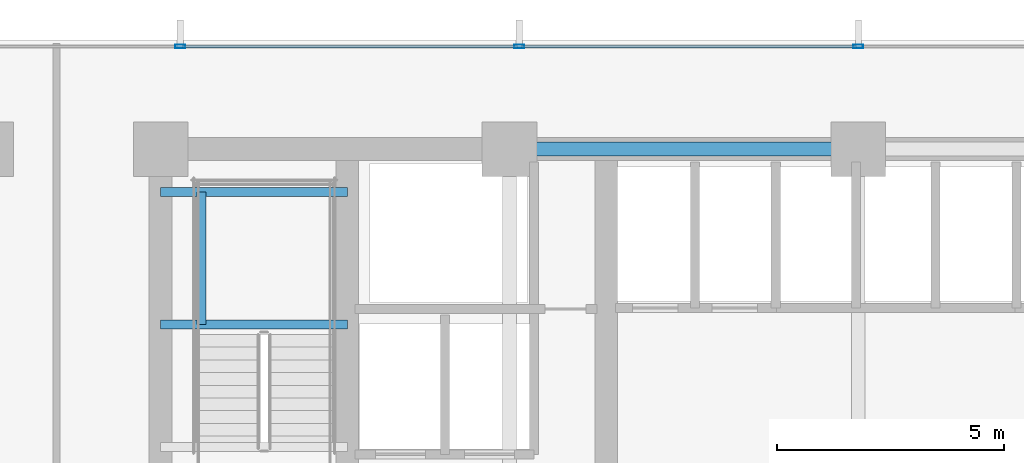
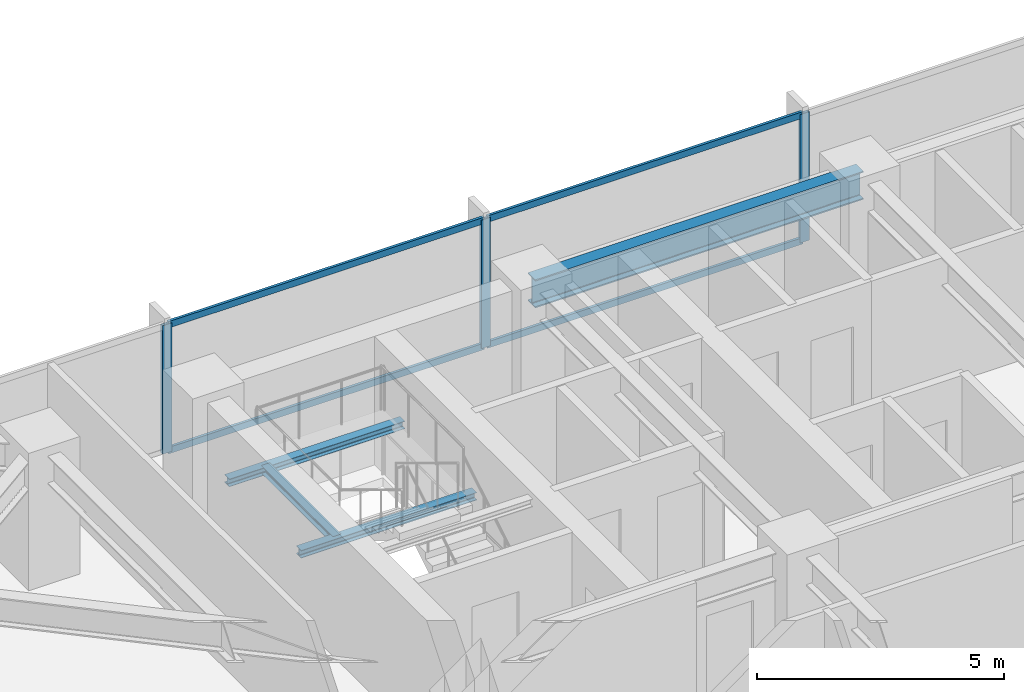
# One storey, part 18 of 32: 7 members, 4 beams, 1 element without a shape of its own.
"""IFC4 building model written with IfcOpenShell, lengths in metres."""

from ifc_helpers import new_model, si_unit, direction, frame, origin, origin_2d, place, context, subcontext, project, spatial, hollow_rectangle, i_section, extrude, material, material_profile, profile_set, type_object, element, aggregate, save


model = new_model("IFC4")

# Units and contexts
model_context = context("Model", 3, precision=1e-05, world=origin(), true_north=direction((0.0, 1.0)))
body_context = subcontext(model_context, "Body", "Model", "MODEL_VIEW")
ifc_project = project(units=[si_unit("LENGTHUNIT", "METRE"), si_unit("AREAUNIT", "SQUARE_METRE"), si_unit("VOLUMEUNIT", "CUBIC_METRE"), si_unit("PLANEANGLEUNIT", "RADIAN"), si_unit("MASSUNIT", "GRAM", prefix="KILO")], contexts=[model_context])

# Site, building, storey
site_placement = place(None, origin())
site = spatial("IfcSite", under=ifc_project, at=site_placement, CompositionType="ELEMENT")
building_placement = place(site_placement, origin())
building = spatial("IfcBuilding", under=site, at=building_placement, Name="Yelkora Congress Tower", CompositionType="ELEMENT")
storey_placement = place(building_placement, frame((0.0, 0.0, 44.0)))
storey = spatial("IfcBuildingStorey", under=building, at=storey_placement, Name="L10", CompositionType="ELEMENT", Elevation=44.0)

# Beams
ifc_material_1 = material(Name="Steel S355J2", Category="steel")
ifc_material_profile_1 = material_profile(ifc_material_1, i_section(OverallWidth=0.300048828125, OverallDepth=0.699951171875, WebThickness=0.01708984375, FlangeThickness=0.031982421875, FilletRadius=0.027099609375, at=origin_2d()), Name="HEB 700")
ifc_profile_set_1 = profile_set([ifc_material_profile_1], Name="Steel S355J2")
beam_type_1 = type_object("IfcBeamType", Name="BM-GIRD-HEB700", PredefinedType="BEAM", material=ifc_profile_set_1)
beam_1_placement = place(storey_placement, frame((30.719970703125, 46.199951171875, 2.830078125), z_axis=(1.0, 0.0, 0.0), x_axis=(0.0, 1.0, 0.0)))
element("IfcBeam", 1, at=beam_1_placement, inside=storey, type_object=beam_type_1, Name="L10 Core North Girder 3", PredefinedType="BEAM", context=body_context, shape_type="SweptSolid", body=[
    extrude(i_section(OverallWidth=0.300048828125, OverallDepth=0.699951171875, WebThickness=0.01708984375, FlangeThickness=0.031982421875, FilletRadius=0.027099609375, at=origin_2d()), origin(), (0.0, 0.0, 1.0), 7.679931640625),
])
ifc_material_profile_2 = material_profile(ifc_material_1, i_section(OverallWidth=0.199951171875, OverallDepth=0.18994140625, WebThickness=0.006591796875, FlangeThickness=0.010009765625, FilletRadius=0.01806640625, at=origin_2d()), Name="HEA 200")
ifc_profile_set_2 = profile_set([ifc_material_profile_2], Name="Steel S355J2")
beam_type_2 = type_object("IfcBeamType", Name="BM-LAND-HEA200", PredefinedType="BEAM", material=ifc_profile_set_2)
for number, where, z_axis, x_axis, name in (
    (2, (23.0400390625, 42.340087890625, 1.384521484375), (1.0, 0.0, 0.0), (0.0, 1.0, 0.0), "ST-01 L10 Landing Header Beam 1S"),
    (3, (23.0400390625, 45.25, 1.384521484375), (1.0, 0.0, 0.0), (0.0, 1.0, 0.0), "ST-01 L10 Landing Header Beam 1N"),
):
    element("IfcBeam", number, at=place(storey_placement, frame(where, z_axis=z_axis, x_axis=x_axis)), inside=storey, type_object=beam_type_2, Name=name, PredefinedType="BEAM", context=body_context, shape_type="SweptSolid", body=[
        extrude(i_section(OverallWidth=0.199951171875, OverallDepth=0.18994140625, WebThickness=0.006591796875, FlangeThickness=0.010009765625, FilletRadius=0.01806640625, at=origin_2d()), origin(), (0.0, 0.0, 1.0), 4.10986328125),
    ])
beam_2_placement = place(storey_placement, frame((23.93994140625, 42.340087890625, 1.384521484375), z_axis=(0.0, 1.0, 0.0), x_axis=(-1.0, 0.0, 0.0)))
element("IfcBeam", 4, at=beam_2_placement, inside=storey, type_object=beam_type_2, Name="ST-01 L10 Landing Trimmer Beam 1M", PredefinedType="BEAM", context=body_context, shape_type="SweptSolid", body=[
    extrude(i_section(OverallWidth=0.199951171875, OverallDepth=0.18994140625, WebThickness=0.006591796875, FlangeThickness=0.010009765625, FilletRadius=0.01806640625, at=origin_2d()), origin(), (0.0, 0.0, 1.0), 2.909912109375),
])

# Curtain wall, members
ifc_material_2 = material(Name="Anodised aluminium and insulated glass", Category="aluminium")
curtain_wall_type = type_object("IfcCurtainWallType", Name="CW-SYS-B1", PredefinedType="NOTDEFINED", material=ifc_material_2)
curtain_wall_placement = place(storey_placement, origin())
curtain_wall = element("IfcCurtainWall", 5, at=curtain_wall_placement, inside=storey, type_object=curtain_wall_type, Name="L10 Unitised Curtain Wall 10", PredefinedType="NOTDEFINED")
ifc_material_3 = material(Name="Anodised aluminium 6063-T6", Category="aluminium")
ifc_material_profile_3 = material_profile(ifc_material_3, hollow_rectangle(XDim=0.074951171875, YDim=0.219970703125, WallThickness=0.0048828125, at=origin_2d()), Name="ALU 75x220x5")
ifc_profile_set_3 = profile_set([ifc_material_profile_3], Name="Anodised aluminium 6063-T6")
member_type_1 = type_object("IfcMemberType", Name="MEM-ML-B1", PredefinedType="MULLION", material=ifc_profile_set_3)
member_1_placement = place(storey_placement, frame((23.469970703125, 48.4599609375, 0.0), z_axis=(0.0, 0.0, 1.0), x_axis=(0.0, 1.0, 0.0)))
member_1 = element("IfcMember", 6, at=member_1_placement, type_object=member_type_1, Name="CW-B1 mullion 3", PredefinedType="MULLION", context=body_context, shape_type="SweptSolid", body=[
    extrude(hollow_rectangle(XDim=0.074951171875, YDim=0.219970703125, WallThickness=0.0048828125, at=origin_2d()), origin(), (0.0, 0.0, 1.0), 3.179931640625),
])
member_2_placement = place(storey_placement, frame((30.93505859375, 48.4599609375, 0.0), z_axis=(0.0, 0.0, 1.0), x_axis=(0.0, 1.0, 0.0)))
member_2 = element("IfcMember", 7, at=member_2_placement, type_object=member_type_1, Name="CW-B1 mullion 4", PredefinedType="MULLION", context=body_context, shape_type="SweptSolid", body=[
    extrude(hollow_rectangle(XDim=0.074951171875, YDim=0.219970703125, WallThickness=0.0048828125, at=origin_2d()), origin(), (0.0, 0.0, 1.0), 3.179931640625),
])
member_3_placement = place(storey_placement, frame((38.39990234375, 48.4599609375, 0.0), z_axis=(0.0, 0.0, 1.0), x_axis=(0.0, 1.0, 0.0)))
member_3 = element("IfcMember", 8, at=member_3_placement, type_object=member_type_1, Name="CW-B1 mullion 5", PredefinedType="MULLION", context=body_context, shape_type="SweptSolid", body=[
    extrude(hollow_rectangle(XDim=0.074951171875, YDim=0.219970703125, WallThickness=0.0048828125, at=origin_2d()), origin(), (0.0, 0.0, 1.0), 3.179931640625),
])
ifc_material_profile_4 = material_profile(ifc_material_3, hollow_rectangle(XDim=0.06494140625, YDim=0.159912109375, WallThickness=0.00390625, at=origin_2d()), Name="ALU 65x160x4")
ifc_profile_set_4 = profile_set([ifc_material_profile_4], Name="Anodised aluminium 6063-T6")
member_type_2 = type_object("IfcMemberType", Name="MEM-TR-B1", PredefinedType="USERDEFINED", material=ifc_profile_set_4)
member_4_placement = place(storey_placement, frame((23.507568359375, 48.4599609375, 0.032470703125), z_axis=(1.0, 0.0, 0.0), x_axis=(0.0, 1.0, 0.0)))
member_4 = element("IfcMember", 9, at=member_4_placement, type_object=member_type_2, Name="CW-B1 transom 3.1", ObjectType="TRANSOM", PredefinedType="USERDEFINED", context=body_context, shape_type="SweptSolid", body=[
    extrude(hollow_rectangle(XDim=0.06494140625, YDim=0.159912109375, WallThickness=0.00390625, at=origin_2d()), origin(), (0.0, 0.0, 1.0), 7.389892578125),
])
member_5_placement = place(storey_placement, frame((23.507568359375, 48.4599609375, 3.1474609375), z_axis=(1.0, 0.0, 0.0), x_axis=(0.0, 1.0, 0.0)))
member_5 = element("IfcMember", 10, at=member_5_placement, type_object=member_type_2, Name="CW-B1 transom 3.2", ObjectType="TRANSOM", PredefinedType="USERDEFINED", context=body_context, shape_type="SweptSolid", body=[
    extrude(hollow_rectangle(XDim=0.06494140625, YDim=0.159912109375, WallThickness=0.00390625, at=origin_2d()), origin(), (0.0, 0.0, 1.0), 7.389892578125),
])
member_6_placement = place(storey_placement, frame((30.972412109375, 48.4599609375, 0.032470703125), z_axis=(1.0, 0.0, 0.0), x_axis=(0.0, 1.0, 0.0)))
member_6 = element("IfcMember", 11, at=member_6_placement, type_object=member_type_2, Name="CW-B1 transom 4.1", ObjectType="TRANSOM", PredefinedType="USERDEFINED", context=body_context, shape_type="SweptSolid", body=[
    extrude(hollow_rectangle(XDim=0.06494140625, YDim=0.159912109375, WallThickness=0.00390625, at=origin_2d()), origin(), (0.0, 0.0, 1.0), 7.39013671875),
])
member_7_placement = place(storey_placement, frame((30.972412109375, 48.4599609375, 3.1474609375), z_axis=(1.0, 0.0, 0.0), x_axis=(0.0, 1.0, 0.0)))
member_7 = element("IfcMember", 12, at=member_7_placement, type_object=member_type_2, Name="CW-B1 transom 4.2", ObjectType="TRANSOM", PredefinedType="USERDEFINED", context=body_context, shape_type="SweptSolid", body=[
    extrude(hollow_rectangle(XDim=0.06494140625, YDim=0.159912109375, WallThickness=0.00390625, at=origin_2d()), origin(), (0.0, 0.0, 1.0), 7.39013671875),
])
aggregate(curtain_wall, [member_1, member_2, member_3, member_4, member_5, member_6, member_7])

save(model, "model.ifc")
